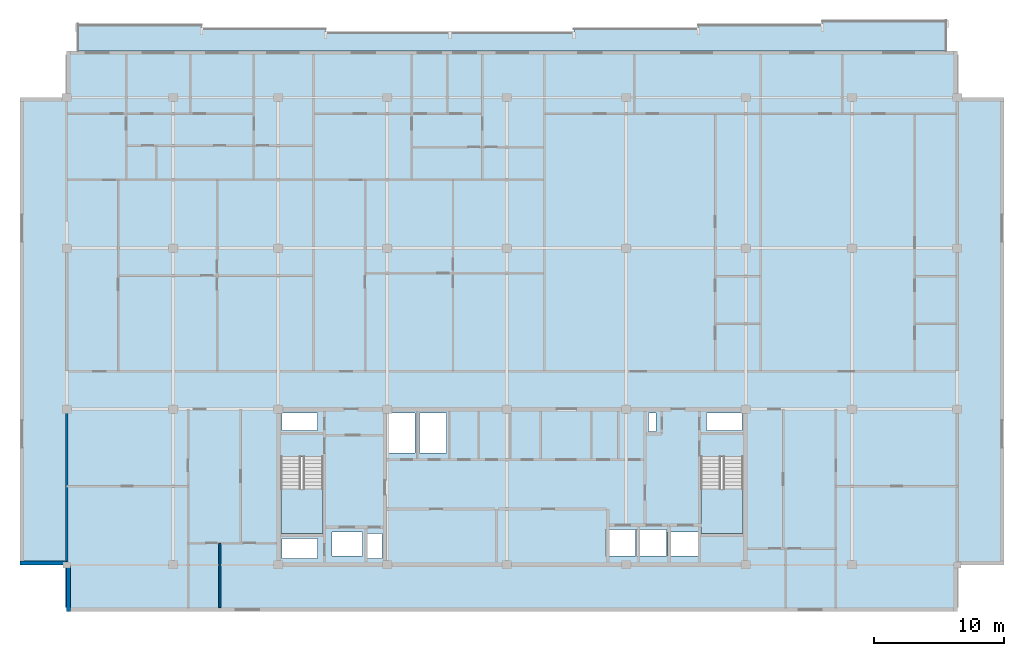
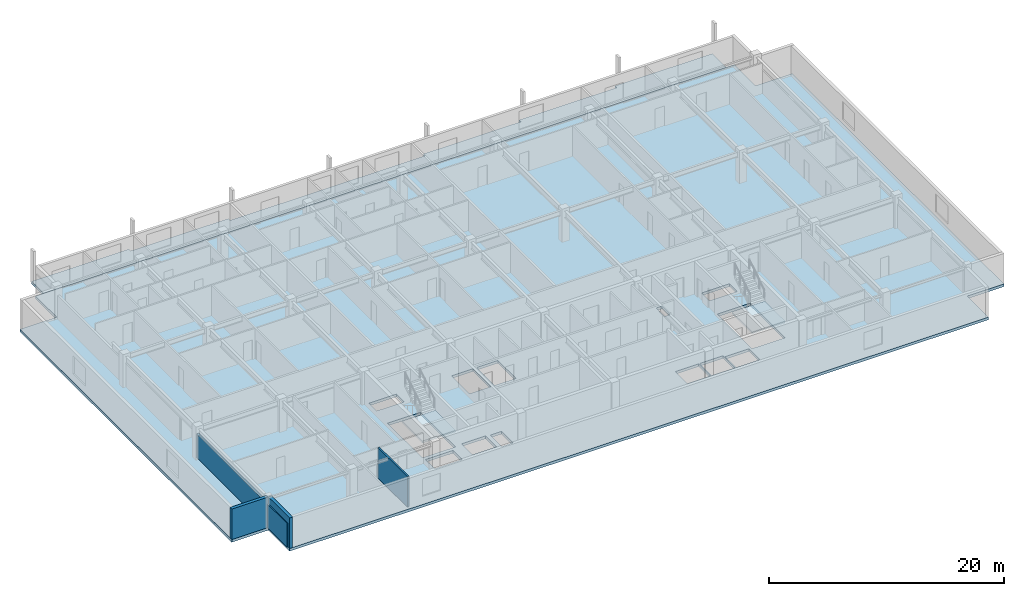
# One storey, part 2 of 11: 4 slabs, 4 walls, 2 elements without a shape of their own.
"""IFC4 building model written with IfcOpenShell, lengths in metres."""

from ifc_helpers import new_model, si_unit, direction, frame, frame_2d, origin, place, context, subcontext, project, spatial, polyline, rectangle, outline, extrude, material, layer, layer_set, type_object, element, aggregate, save


model = new_model("IFC4")

# Units and contexts
model_context = context("Model", 3, precision=1e-05, world=origin(), true_north=direction((0.0, 1.0)))
body_context = subcontext(model_context, "Body", "Model", "MODEL_VIEW")
ifc_project = project(units=[si_unit("LENGTHUNIT", "METRE"), si_unit("AREAUNIT", "SQUARE_METRE"), si_unit("VOLUMEUNIT", "CUBIC_METRE"), si_unit("PLANEANGLEUNIT", "RADIAN"), si_unit("MASSUNIT", "GRAM", prefix="KILO")], contexts=[model_context])

# Site, building, storey
site_placement = place(None, origin())
site = spatial("IfcSite", under=ifc_project, at=site_placement, CompositionType="ELEMENT")
building_placement = place(site_placement, origin())
building = spatial("IfcBuilding", under=site, at=building_placement, Name="Korimba Cascade Residences", CompositionType="ELEMENT")
storey_placement = place(building_placement, frame((0.0, 0.0, 252.800048828125)))
storey = spatial("IfcBuildingStorey", under=building, at=storey_placement, Name="L73", CompositionType="ELEMENT", Elevation=252.800048828125)

# Stair, slab
ifc_material_1 = material(Name="Concrete C50/60", Category="concrete")
stair_type_1 = type_object("IfcStairType", Name="STR-W1-20R-1725", PredefinedType="HALF_TURN_STAIR", material=ifc_material_1)
stair_1_placement = place(storey_placement, origin())
stair_1 = element("IfcStair", 1, at=stair_1_placement, inside=storey, type_object=stair_type_1, Name="L73 Tower 1 West Fire Stair ST-W1", PredefinedType="HALF_TURN_STAIR")
ifc_layer_1 = layer(ifc_material_1, 0.199951171875)
ifc_layer_set_1 = layer_set([ifc_layer_1], Name="Concrete C50/60")
slab_type_1 = type_object("IfcSlabType", Name="SLB-LND-220", PredefinedType="LANDING", material=ifc_layer_set_1)
slab_1_placement = place(storey_placement, frame((0.0, 0.0, 1.52490234375)))
slab_1 = element("IfcSlab", 2, at=slab_1_placement, type_object=slab_type_1, Name="ST-W1 landing 1", PredefinedType="LANDING", context=body_context, shape_type="SweptSolid", body=[
    extrude(outline(polyline([(76.300048828125, 61.030029296875), (76.300048828125, 57.60009765625), (79.5400390625, 57.60009765625), (79.5400390625, 61.030029296875), (76.300048828125, 61.030029296875)])), origin(), (0.0, 0.0, 1.0), 0.199951171875),
])
aggregate(stair_1, [slab_1])

stair_type_2 = type_object("IfcStairType", Name="STR-W2-20R-1725", PredefinedType="HALF_TURN_STAIR", material=ifc_material_1)
stair_2_placement = place(storey_placement, origin())
stair_2 = element("IfcStair", 3, at=stair_2_placement, inside=storey, type_object=stair_type_2, Name="L73 Tower 1 East Fire Stair ST-W2", PredefinedType="HALF_TURN_STAIR")
slab_2_placement = place(storey_placement, frame((0.0, 0.0, 1.52490234375)))
slab_2 = element("IfcSlab", 4, at=slab_2_placement, type_object=slab_type_1, Name="ST-W2 landing 1", PredefinedType="LANDING", context=body_context, shape_type="SweptSolid", body=[
    extrude(outline(polyline([(108.659912109375, 61.030029296875), (108.659912109375, 57.60009765625), (111.89990234375, 57.60009765625), (111.89990234375, 61.030029296875), (108.659912109375, 61.030029296875)])), origin(), (0.0, 0.0, 1.0), 0.199951171875),
])
aggregate(stair_2, [slab_2])

# Slabs
ifc_material_2 = material(Name="Precast concrete C40/50", Category="concrete")
ifc_layer_2 = layer(ifc_material_2, 0.239990234375)
ifc_layer_set_2 = layer_set([ifc_layer_2], Name="Precast concrete C40/50")
slab_type_2 = type_object("IfcSlabType", Name="SLB-LOG-240", PredefinedType="FLOOR", material=ifc_layer_set_2)
slab_3_placement = place(storey_placement, frame((0.0, 0.0, -0.239990234375)))
element("IfcSlab", 5, at=slab_3_placement, inside=storey, type_object=slab_type_2, Name="L73 Tower 1 North Loggia Slab", PredefinedType="FLOOR", context=body_context, shape_type="SweptSolid", body=[
    extrude(outline(polyline([(60.60009765625, 94.800048828125), (127.60009765625, 94.800048828125), (127.60009765625, 97.14990234375), (118.028564453125, 97.14990234375), (118.028564453125, 96.85009765625), (108.45703125, 96.85009765625), (108.45703125, 96.550048828125), (98.8857421875, 96.550048828125), (98.8857421875, 96.25), (79.742919921875, 96.25), (79.742919921875, 96.550048828125), (70.17138671875, 96.550048828125), (70.17138671875, 96.85009765625), (60.60009765625, 96.85009765625), (60.60009765625, 94.800048828125)])), origin(), (0.0, 0.0, 1.0), 0.239990234375),
])
ifc_layer_3 = layer(ifc_material_1, 0.280029296875)
ifc_layer_set_3 = layer_set([ifc_layer_3], Name="Concrete C50/60")
slab_type_3 = type_object("IfcSlabType", Name="SLB-TYP-280", PredefinedType="FLOOR", material=ifc_layer_set_3)
slab_4_placement = place(storey_placement, frame((0.0, 0.0, -0.280029296875)))
element("IfcSlab", 6, at=slab_4_placement, inside=storey, type_object=slab_type_3, Name="L73 Tower 1 Floor Slab", PredefinedType="FLOOR", context=body_context, shape_type="SweptSolid", body=[
    extrude(outline(polyline([(59.800048828125, 51.60009765625), (128.39990234375, 51.60009765625), (128.39990234375, 55.199951171875), (132.0, 55.199951171875), (132.0, 91.199951171875), (128.39990234375, 91.199951171875), (128.39990234375, 94.800048828125), (59.800048828125, 94.800048828125), (59.800048828125, 91.199951171875), (56.199951171875, 91.199951171875), (56.199951171875, 55.199951171875), (59.800048828125, 55.199951171875), (59.800048828125, 51.60009765625)]), holes=[polyline([(76.300048828125, 63.514892578125), (76.300048828125, 57.60009765625), (79.5400390625, 57.60009765625), (79.5400390625, 63.514892578125), (76.300048828125, 63.514892578125)]), polyline([(108.659912109375, 63.514892578125), (108.659912109375, 57.60009765625), (111.89990234375, 57.60009765625), (111.89990234375, 63.514892578125), (108.659912109375, 63.514892578125)]), polyline([(80.22998046875, 55.8798828125), (82.570068359375, 55.8798828125), (82.570068359375, 57.719970703125), (80.22998046875, 57.719970703125), (80.22998046875, 55.8798828125)]), polyline([(106.080078125, 55.8798828125), (108.419921875, 55.8798828125), (108.419921875, 57.719970703125), (106.080078125, 57.719970703125), (106.080078125, 55.8798828125)]), polyline([(101.304931640625, 55.8798828125), (103.594970703125, 55.8798828125), (103.594970703125, 57.919921875), (101.304931640625, 57.919921875), (101.304931640625, 55.8798828125)]), polyline([(103.705078125, 55.8798828125), (105.9951171875, 55.8798828125), (105.9951171875, 57.919921875), (103.705078125, 57.919921875), (103.705078125, 55.8798828125)]), polyline([(82.97998046875, 55.679931640625), (84.080078125, 55.679931640625), (84.080078125, 57.6201171875), (82.97998046875, 57.6201171875), (82.97998046875, 55.679931640625)]), polyline([(76.39990234375, 65.56005859375), (79.10009765625, 65.56005859375), (79.10009765625, 66.8798828125), (76.39990234375, 66.8798828125), (76.39990234375, 65.56005859375)]), polyline([(76.39990234375, 55.679931640625), (79.10009765625, 55.679931640625), (79.10009765625, 57.239990234375), (76.39990234375, 57.239990234375), (76.39990234375, 55.679931640625)]), polyline([(84.530029296875, 63.820068359375), (86.6201171875, 63.820068359375), (86.6201171875, 66.8798828125), (84.530029296875, 66.8798828125), (84.530029296875, 63.820068359375)]), polyline([(86.97998046875, 63.820068359375), (89.070068359375, 63.820068359375), (89.070068359375, 66.8798828125), (86.97998046875, 66.8798828125), (86.97998046875, 63.820068359375)]), polyline([(104.6201171875, 65.4599609375), (105.179931640625, 65.4599609375), (105.179931640625, 66.8798828125), (104.6201171875, 66.8798828125), (104.6201171875, 65.4599609375)]), polyline([(109.080078125, 65.56005859375), (111.800048828125, 65.56005859375), (111.800048828125, 66.8798828125), (109.080078125, 66.8798828125), (109.080078125, 65.56005859375)])]), origin(), (0.0, 0.0, 1.0), 0.280029296875),
])

# Walls
ifc_layer_4 = layer(ifc_material_2, 0.300048828125)
ifc_layer_set_4 = layer_set([ifc_layer_4], Name="Precast concrete C40/50")
wall_type_1 = type_object("IfcWallType", Name="EW-STONE-300", PredefinedType="STANDARD", material=ifc_layer_set_4)
wall_1_placement = place(storey_placement, frame((56.199951171875, 55.35009765625, 0.0), z_axis=(0.0, 0.0, 1.0), x_axis=(1.0, 0.0, 0.0)))
element("IfcWall", 7, at=wall_1_placement, inside=storey, type_object=wall_type_1, Name="L73 T1 Perimeter Stone Wall E10", PredefinedType="STANDARD", context=body_context, shape_type="SweptSolid", body=[
    extrude(rectangle(XDim=3.60009765625, YDim=0.300048828125, at=frame_2d((1.800048828125, 0.0))), origin(), (0.0, 0.0, 1.0), 3.169921875),
])
wall_2_placement = place(storey_placement, frame((59.949951171875, 55.199951171875, 0.0), z_axis=(0.0, 0.0, 1.0), x_axis=(0.0, -1.0, 0.0)))
element("IfcWall", 8, at=wall_2_placement, inside=storey, type_object=wall_type_1, Name="L73 T1 Perimeter Stone Wall E11", PredefinedType="STANDARD", context=body_context, shape_type="SweptSolid", body=[
    extrude(rectangle(XDim=3.599853515625, YDim=0.300048828125, at=frame_2d((1.7998046875, 0.0))), origin(), (0.0, 0.0, 1.0), 3.169921875),
])
ifc_layer_5 = layer(ifc_material_2, 0.199951171875)
ifc_layer_set_5 = layer_set([ifc_layer_5], Name="Precast concrete C40/50")
wall_type_2 = type_object("IfcWallType", Name="WAL-IT-200", PredefinedType="PARTITIONING", material=ifc_layer_set_5)
wall_3_placement = place(storey_placement, frame((59.800048828125, 51.89990234375, 0.0), z_axis=(0.0, 0.0, 1.0), x_axis=(0.0, 1.0, 0.0)))
element("IfcWall", 9, at=wall_3_placement, inside=storey, type_object=wall_type_2, Name="L73 Partition Wall WAL-L73-T1-FW-WL", PredefinedType="PARTITIONING", context=body_context, shape_type="SweptSolid", body=[
    extrude(rectangle(XDim=15.300048828125, YDim=0.199951171875, at=frame_2d((7.64990234375, 0.0))), origin(), (0.0, 0.0, 1.0), 2.47705078125),
])
ifc_material_3 = material(Name="Insulated Acoustic Stud Partition", Category="gypsum")
ifc_layer_6 = layer(ifc_material_3, 0.14990234375)
ifc_layer_set_6 = layer_set([ifc_layer_6], Name="Insulated Acoustic Stud Partition")
wall_type_3 = type_object("IfcWallType", Name="WAL-PART-150", PredefinedType="PARTITIONING", material=ifc_layer_set_6)
wall_4_placement = place(storey_placement, frame((71.60009765625, 51.89990234375, 0.0), z_axis=(0.0, 0.0, 1.0), x_axis=(0.0, 1.0, 0.0)))
element("IfcWall", 10, at=wall_4_placement, inside=storey, type_object=wall_type_3, Name="L73 Partition Wall WAL-L73-T1-FW-VS", PredefinedType="PARTITIONING", context=body_context, shape_type="SweptSolid", body=[
    extrude(rectangle(XDim=4.97021484375, YDim=0.14990234375, at=frame_2d((2.485107421875, 0.0))), origin(), (0.0, 0.0, 1.0), 3.169921875),
])

save(model, "model.ifc")
